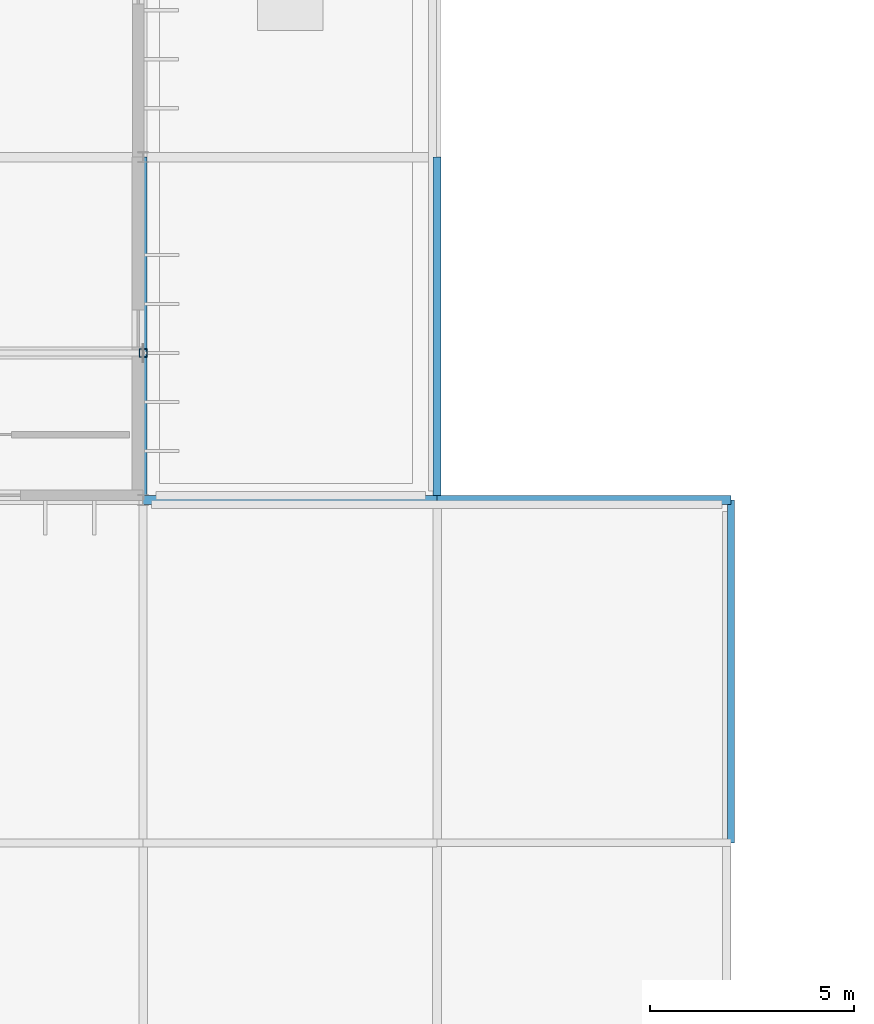
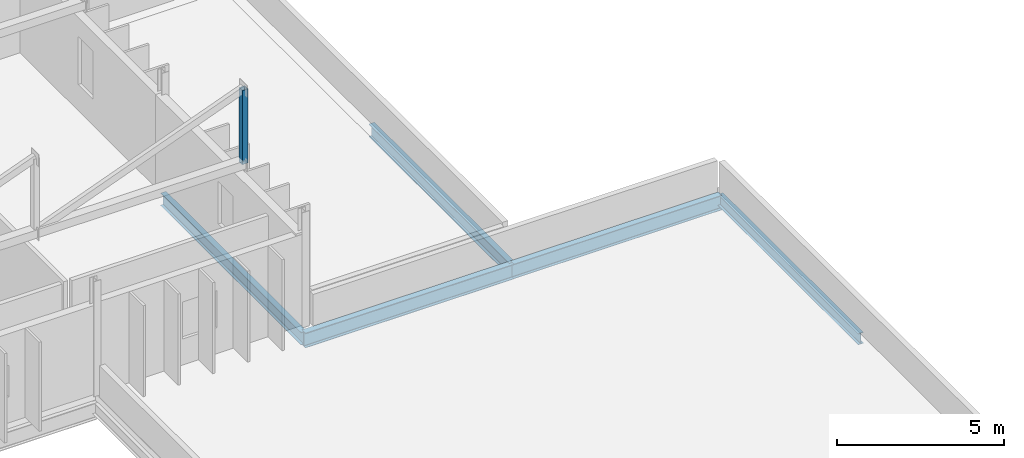
# One storey, part 23 of 52: 5 beams, 1 member.
"""IFC4 building model written with IfcOpenShell, lengths in metres."""

from ifc_helpers import new_model, si_unit, direction, frame, origin, origin_2d, place, context, subcontext, project, spatial, hollow_rectangle, i_section, extrude, material, material_profile, profile_set, type_object, element, save


model = new_model("IFC4")

# Units and contexts
model_context = context("Model", 3, precision=1e-05, world=origin(), true_north=direction((0.0, 1.0)))
body_context = subcontext(model_context, "Body", "Model", "MODEL_VIEW")
ifc_project = project(units=[si_unit("LENGTHUNIT", "METRE"), si_unit("AREAUNIT", "SQUARE_METRE"), si_unit("VOLUMEUNIT", "CUBIC_METRE"), si_unit("PLANEANGLEUNIT", "RADIAN"), si_unit("MASSUNIT", "GRAM", prefix="KILO")], contexts=[model_context])

# Site, building, storey
site_placement = place(None, origin())
site = spatial("IfcSite", under=ifc_project, at=site_placement, CompositionType="ELEMENT")
building_placement = place(site_placement, origin())
building = spatial("IfcBuilding", under=site, at=building_placement, Name="Qelthora Terrace Specialist Clinic", CompositionType="ELEMENT")
storey_placement = place(building_placement, frame((0.0, 0.0, 17.39990234375)))
storey = spatial("IfcBuildingStorey", under=building, at=storey_placement, Name="L04", CompositionType="ELEMENT", Elevation=17.39990234375)

# Beams
ifc_material = material(Name="Steel S355", Category="steel")
ifc_material_profile_1 = material_profile(ifc_material, i_section(OverallWidth=0.178955078125, OverallDepth=0.409912109375, WebThickness=0.0087890625, FlangeThickness=0.014404296875, FilletRadius=0.011962890625, at=origin_2d()), Name="W410X67")
ifc_profile_set_1 = profile_set([ifc_material_profile_1], Name="Steel S355")
beam_type_1 = type_object("IfcBeamType", Name="BM-W410X67", PredefinedType="BEAM", material=ifc_profile_set_1)
beam_1_placement = place(storey_placement, frame((115.199951171875, 84.0, -0.454833984375), z_axis=(0.0, 1.0, 0.0), x_axis=(-1.0, 0.0, 0.0)))
element("IfcBeam", 1, at=beam_1_placement, inside=storey, type_object=beam_type_1, Name="Girder BMY-L04-1280", PredefinedType="BEAM", context=body_context, shape_type="SweptSolid", body=[
    extrude(i_section(OverallWidth=0.178955078125, OverallDepth=0.409912109375, WebThickness=0.0087890625, FlangeThickness=0.014404296875, FilletRadius=0.011962890625, at=origin_2d()), origin(), (0.0, 0.0, 1.0), 8.39990234375),
])
ifc_material_profile_2 = material_profile(ifc_material, i_section(OverallWidth=0.19091796875, OverallDepth=0.4599609375, WebThickness=0.010009765625, FlangeThickness=0.01611328125, FilletRadius=0.012939453125, at=origin_2d()), Name="W460X82")
ifc_profile_set_2 = profile_set([ifc_material_profile_2], Name="Steel S355")
beam_type_2 = type_object("IfcBeamType", Name="BM-W460X82", PredefinedType="BEAM", material=ifc_profile_set_2)
beam_2_placement = place(storey_placement, frame((100.800048828125, 92.39990234375, -0.47998046875), z_axis=(0.0, 1.0, 0.0), x_axis=(-1.0, 0.0, 0.0)))
element("IfcBeam", 2, at=beam_2_placement, inside=storey, type_object=beam_type_2, Name="Girder BMY-L04-1268", PredefinedType="BEAM", context=body_context, shape_type="SweptSolid", body=[
    extrude(i_section(OverallWidth=0.19091796875, OverallDepth=0.4599609375, WebThickness=0.010009765625, FlangeThickness=0.01611328125, FilletRadius=0.012939453125, at=origin_2d()), origin(), (0.0, 0.0, 1.0), 8.400146484375),
])
ifc_material_profile_3 = material_profile(ifc_material, i_section(OverallWidth=0.193115234375, OverallDepth=0.466064453125, WebThickness=0.011474609375, FlangeThickness=0.01904296875, FilletRadius=0.012939453125, at=origin_2d()), Name="W460X97")
ifc_profile_set_3 = profile_set([ifc_material_profile_3], Name="Steel S355")
beam_type_3 = type_object("IfcBeamType", Name="BM-W460X97", PredefinedType="BEAM", material=ifc_profile_set_3)
beam_3_placement = place(storey_placement, frame((108.0, 92.39990234375, -0.48291015625), z_axis=(0.0, 1.0, 0.0), x_axis=(-1.0, 0.0, 0.0)))
element("IfcBeam", 3, at=beam_3_placement, inside=storey, type_object=beam_type_3, Name="Girder BMY-L04-1277", PredefinedType="BEAM", context=body_context, shape_type="SweptSolid", body=[
    extrude(i_section(OverallWidth=0.193115234375, OverallDepth=0.466064453125, WebThickness=0.011474609375, FlangeThickness=0.01904296875, FilletRadius=0.012939453125, at=origin_2d()), origin(), (0.0, 0.0, 1.0), 8.400146484375),
])
ifc_material_profile_4 = material_profile(ifc_material, i_section(OverallWidth=0.2099609375, OverallDepth=0.537109375, WebThickness=0.010986328125, FlangeThickness=0.017333984375, FilletRadius=0.013916015625, at=origin_2d()), Name="W530X101")
ifc_profile_set_4 = profile_set([ifc_material_profile_4], Name="Steel S355")
beam_type_4 = type_object("IfcBeamType", Name="BM-W530X101", PredefinedType="BEAM", material=ifc_profile_set_4)
beam_4_placement = place(storey_placement, frame((108.0, 92.39990234375, -0.518310546875), z_axis=(1.0, 0.0, 0.0), x_axis=(0.0, 1.0, 0.0)))
element("IfcBeam", 4, at=beam_4_placement, inside=storey, type_object=beam_type_4, Name="Girder BMX-L04-1182", PredefinedType="BEAM", context=body_context, shape_type="SweptSolid", body=[
    extrude(i_section(OverallWidth=0.2099609375, OverallDepth=0.537109375, WebThickness=0.010986328125, FlangeThickness=0.017333984375, FilletRadius=0.013916015625, at=origin_2d()), origin(), (0.0, 0.0, 1.0), 7.199951171875),
])
ifc_material_profile_5 = material_profile(ifc_material, i_section(OverallWidth=0.2119140625, OverallDepth=0.5439453125, WebThickness=0.01318359375, FlangeThickness=0.021240234375, FilletRadius=0.013916015625, at=origin_2d()), Name="W530X123")
ifc_profile_set_5 = profile_set([ifc_material_profile_5], Name="Steel S355")
beam_type_5 = type_object("IfcBeamType", Name="BM-W530X123", PredefinedType="BEAM", material=ifc_profile_set_5)
beam_5_placement = place(storey_placement, frame((100.800048828125, 92.39990234375, -0.52197265625), z_axis=(1.0, 0.0, 0.0), x_axis=(0.0, 1.0, 0.0)))
element("IfcBeam", 5, at=beam_5_placement, inside=storey, type_object=beam_type_5, Name="Girder BMX-L04-1181", PredefinedType="BEAM", context=body_context, shape_type="SweptSolid", body=[
    extrude(i_section(OverallWidth=0.2119140625, OverallDepth=0.5439453125, WebThickness=0.01318359375, FlangeThickness=0.021240234375, FilletRadius=0.013916015625, at=origin_2d()), origin(), (0.0, 0.0, 1.0), 7.199951171875),
])

# Member
ifc_material_profile_6 = material_profile(ifc_material, hollow_rectangle(XDim=0.199951171875, YDim=0.199951171875, WallThickness=0.010009765625, at=origin_2d()), Name="HSS200X200X10")
ifc_profile_set_6 = profile_set([ifc_material_profile_6], Name="Steel S355")
member_type = type_object("IfcMemberType", Name="MEM-BRACE-HSS200", PredefinedType="BRACE", material=ifc_profile_set_6)
member_placement = place(storey_placement, frame((100.800048828125, 96.0, 3.75), z_axis=(0.0, 0.0, 1.0), x_axis=(1.0, 0.0, 0.0)))
element("IfcMember", 6, at=member_placement, inside=storey, type_object=member_type, Name="Sawtooth clerestory post 6A", PredefinedType="BRACE", context=body_context, shape_type="SweptSolid", body=[
    extrude(hollow_rectangle(XDim=0.199951171875, YDim=0.199951171875, WallThickness=0.010009765625, at=origin_2d()), origin(), (0.0, 0.0, 1.0), 2.710205078125),
])

save(model, "model.ifc")
